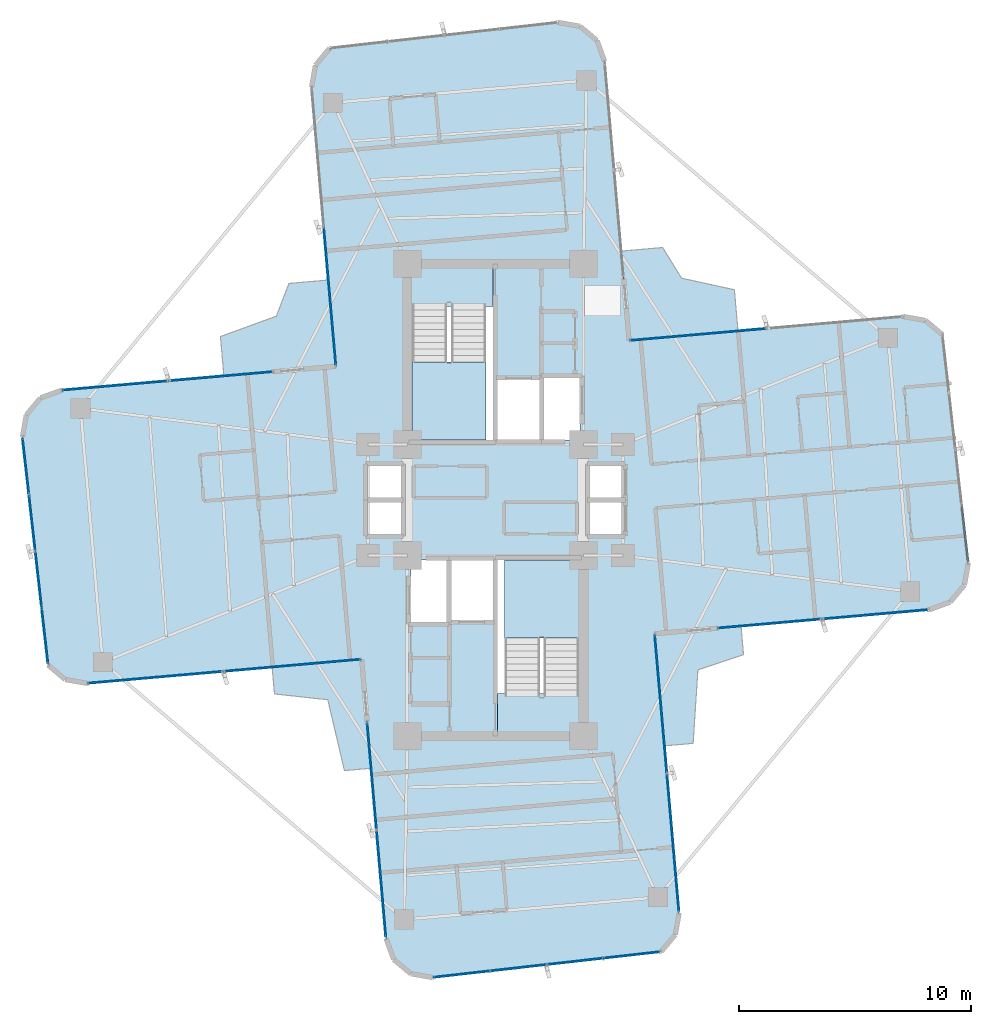
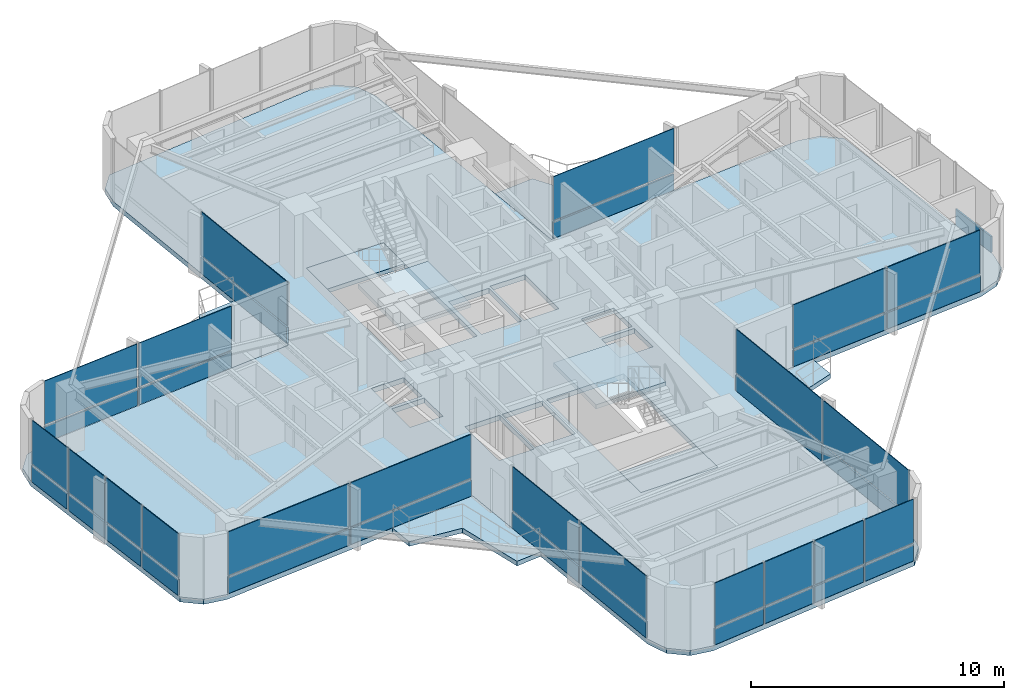
# One storey, part 19 of 24: 41 plates, 9 slabs, 12 elements without a shape of their own.
"""IFC4 building model written with IfcOpenShell, lengths in metres."""

from ifc_helpers import new_model, si_unit, direction, frame, origin, origin_2d, place, context, subcontext, project, spatial, polyline, rectangle, outline, extrude, source, transform, mapped, material, layer, layer_set, type_object, element, aggregate, save


model = new_model("IFC4")

# Units and contexts
model_context = context("Model", 3, precision=1e-05, world=origin(), true_north=direction((0.0, 1.0)))
body_context = subcontext(model_context, "Body", "Model", "MODEL_VIEW")
ifc_project = project(units=[si_unit("LENGTHUNIT", "METRE"), si_unit("AREAUNIT", "SQUARE_METRE"), si_unit("VOLUMEUNIT", "CUBIC_METRE"), si_unit("PLANEANGLEUNIT", "RADIAN"), si_unit("MASSUNIT", "GRAM", prefix="KILO")], contexts=[model_context])

# Site, building, storey
site_placement = place(None, origin())
site = spatial("IfcSite", under=ifc_project, at=site_placement, CompositionType="ELEMENT")
building_placement = place(site_placement, origin())
building = spatial("IfcBuilding", under=site, at=building_placement, Name="Sahyath Konkavel Grand Hotel", CompositionType="ELEMENT")
storey_placement = place(building_placement, frame((0.0, 0.0, 167.35009765625)))
storey = spatial("IfcBuildingStorey", under=building, at=storey_placement, Name="L46", CompositionType="ELEMENT", Elevation=167.35009765625)

# Slabs
ifc_material_1 = material(Name="Concrete C40/50", Category="concrete")
ifc_layer_1 = layer(ifc_material_1, 0.239990234375)
ifc_layer_set_1 = layer_set([ifc_layer_1], Name="Concrete C40/50")
slab_type_1 = type_object("IfcSlabType", Name="SLB-240", PredefinedType="FLOOR", material=ifc_layer_set_1)
slab_1_placement = place(storey_placement, frame((0.0, 0.0, -0.239990234375)))
element("IfcSlab", 1, at=slab_1_placement, inside=storey, type_object=slab_type_1, Name="L46 Structural Floor Slab", PredefinedType="FLOOR", context=body_context, shape_type="SweptSolid", body=[
    extrude(outline(polyline([(6.87939453125, -5.7724609375), (18.73388671875, -4.735107421875), (19.6337890625, -4.40771484375), (20.24951171875, -3.674072265625), (20.415771484375, -2.73095703125), (19.3037109375, 7.134521484375), (18.5703125, 7.75), (17.627197265625, 7.91650390625), (5.7724609375, 6.87939453125), (4.7177734375, 18.93310546875), (4.390380859375, 19.8330078125), (3.65673828125, 20.44873046875), (2.713623046875, 20.614990234375), (-7.152099609375, 19.5029296875), (-7.767578125, 18.769287109375), (-7.933837890625, 17.826416015625), (-6.87939453125, 5.7724609375), (-18.73388671875, 4.735107421875), (-19.6337890625, 4.40771484375), (-20.24951171875, 3.674072265625), (-20.415771484375, 2.73095703125), (-19.3037109375, -7.134521484375), (-18.5703125, -7.75), (-17.627197265625, -7.91650390625), (-5.7724609375, -6.87939453125), (-4.7177734375, -18.93310546875), (-4.390380859375, -19.8330078125), (-3.65673828125, -20.44873046875), (-2.713623046875, -20.614990234375), (7.152099609375, -19.5029296875), (7.767578125, -18.769287109375), (7.933837890625, -17.826416015625), (6.87939453125, -5.7724609375)]), holes=[polyline([(-3.6201171875, 2.580078125), (-0.10009765625, 2.580078125), (-0.10009765625, 10.02001953125), (-3.6201171875, 10.02001953125), (-3.6201171875, 2.580078125)]), polyline([(0.10009765625, -10.02001953125), (3.6201171875, -10.02001953125), (3.6201171875, -2.580078125), (0.10009765625, -2.580078125), (0.10009765625, -10.02001953125)]), polyline([(0.10009765625, 2.60009765625), (1.949951171875, 2.60009765625), (1.949951171875, 5.199951171875), (0.10009765625, 5.199951171875), (0.10009765625, 2.60009765625)]), polyline([(-1.949951171875, -5.199951171875), (-0.10009765625, -5.199951171875), (-0.10009765625, -2.60009765625), (-1.949951171875, -2.60009765625), (-1.949951171875, -5.199951171875)]), polyline([(2.050048828125, 2.60009765625), (3.64990234375, 2.60009765625), (3.64990234375, 5.300048828125), (2.050048828125, 5.300048828125), (2.050048828125, 2.60009765625)]), polyline([(-3.64990234375, -5.300048828125), (-2.050048828125, -5.300048828125), (-2.050048828125, -2.60009765625), (-3.64990234375, -2.60009765625), (-3.64990234375, -5.300048828125)]), polyline([(4.050048828125, 0.080078125), (5.550048828125, 0.080078125), (5.550048828125, 1.5400390625), (4.050048828125, 1.5400390625), (4.050048828125, 0.080078125)]), polyline([(4.050048828125, -1.5400390625), (5.550048828125, -1.5400390625), (5.550048828125, -0.080078125), (4.050048828125, -0.080078125), (4.050048828125, -1.5400390625)]), polyline([(-5.550048828125, 0.080078125), (-4.050048828125, 0.080078125), (-4.050048828125, 1.5400390625), (-5.550048828125, 1.5400390625), (-5.550048828125, 0.080078125)]), polyline([(-5.550048828125, -1.5400390625), (-4.050048828125, -1.5400390625), (-4.050048828125, -0.080078125), (-5.550048828125, -0.080078125), (-5.550048828125, -1.5400390625)])]), origin(), (0.0, 0.0, 1.0), 0.239990234375),
])
ifc_layer_2 = layer(ifc_material_1, 0.219970703125)
ifc_layer_set_2 = layer_set([ifc_layer_2], Name="Concrete C40/50")
slab_type_2 = type_object("IfcSlabType", Name="SLB-BALCONY-220", PredefinedType="FLOOR", material=ifc_layer_set_2)
slab_2_placement = place(storey_placement, frame((0.0, 0.0, -0.22021484375)))
element("IfcSlab", 2, at=slab_2_placement, inside=storey, type_object=slab_type_2, Name="L46 Winter-Garden Balcony NE", PredefinedType="FLOOR", context=body_context, shape_type="SweptSolid", body=[
    extrude(outline(polyline([(5.7724609375, 6.87939453125), (10.474365234375, 7.290771484375), (10.318115234375, 9.07666015625), (8.035888671875, 9.576904296875), (7.22021484375, 10.90087890625), (5.43408203125, 10.744384765625), (5.7724609375, 6.87939453125)])), origin(), (0.0, 0.0, 1.0), 0.22021484375),
])
slab_3_placement = place(storey_placement, frame((0.0, 0.0, -0.22021484375)))
element("IfcSlab", 3, at=slab_3_placement, inside=storey, type_object=slab_type_2, Name="L46 Winter-Garden Balcony NW", PredefinedType="FLOOR", context=body_context, shape_type="SweptSolid", body=[
    extrude(outline(polyline([(-6.87939453125, 5.7724609375), (-7.205078125, 9.498291015625), (-8.912353515625, 9.348876953125), (-9.45751953125, 7.935791015625), (-11.8701171875, 7.055908203125), (-11.720703125, 5.348876953125), (-6.87939453125, 5.7724609375)])), origin(), (0.0, 0.0, 1.0), 0.22021484375),
])
slab_4_placement = place(storey_placement, frame((0.0, 0.0, -0.22021484375)))
element("IfcSlab", 4, at=slab_4_placement, inside=storey, type_object=slab_type_2, Name="L46 Winter-Garden Balcony SW", PredefinedType="FLOOR", context=body_context, shape_type="SweptSolid", body=[
    extrude(outline(polyline([(-5.7724609375, -6.87939453125), (-9.6376953125, -7.21728515625), (-9.53662109375, -8.372314453125), (-7.236083984375, -8.62353515625), (-6.515869140625, -11.682373046875), (-5.361083984375, -11.581298828125), (-5.7724609375, -6.87939453125)])), origin(), (0.0, 0.0, 1.0), 0.22021484375),
])
slab_5_placement = place(storey_placement, frame((0.0, 0.0, -0.22021484375)))
element("IfcSlab", 5, at=slab_5_placement, inside=storey, type_object=slab_type_2, Name="L46 Winter-Garden Balcony SE", PredefinedType="FLOOR", context=body_context, shape_type="SweptSolid", body=[
    extrude(outline(polyline([(6.87939453125, -5.7724609375), (7.302978515625, -10.614013671875), (8.53662109375, -10.506103515625), (8.74267578125, -7.3359375), (10.712890625, -6.68017578125), (10.60498046875, -5.4462890625), (6.87939453125, -5.7724609375)])), origin(), (0.0, 0.0, 1.0), 0.22021484375),
])

# Stair, slab
stair_type = type_object("IfcStairType", Name="STR-ST16-335", PredefinedType="HALF_TURN_STAIR", material=ifc_material_1)
stair_1_placement = place(storey_placement, origin())
stair_1 = element("IfcStair", 6, at=stair_1_placement, inside=storey, type_object=stair_type, Name="L46 North Core Smokeproof Exit Stair ST-1", PredefinedType="HALF_TURN_STAIR")
ifc_layer_3 = layer(ifc_material_1, 0.199951171875)
ifc_layer_set_3 = layer_set([ifc_layer_3], Name="Concrete C40/50")
slab_type_3 = type_object("IfcSlabType", Name="SLB-STAIR-LND", PredefinedType="LANDING", material=ifc_layer_set_3)
slab_6_placement = place(storey_placement, frame((0.0, 0.0, 1.474853515625)))
slab_6 = element("IfcSlab", 7, at=slab_6_placement, type_object=slab_type_3, Name="ST-1 landing 1", PredefinedType="LANDING", context=body_context, shape_type="SweptSolid", body=[
    extrude(outline(polyline([(-3.60009765625, 5.9599609375), (-3.60009765625, 2.60009765625), (-0.39990234375, 2.60009765625), (-0.39990234375, 5.9599609375), (-3.60009765625, 5.9599609375)])), origin(), (0.0, 0.0, 1.0), 0.199951171875),
])
aggregate(stair_1, [slab_6])

stair_2_placement = place(storey_placement, origin())
stair_2 = element("IfcStair", 8, at=stair_2_placement, inside=storey, type_object=stair_type, Name="L46 South Core Smokeproof Exit Stair ST-2", PredefinedType="HALF_TURN_STAIR")
slab_7_placement = place(storey_placement, frame((0.0, 0.0, 1.474853515625)))
slab_7 = element("IfcSlab", 9, at=slab_7_placement, type_object=slab_type_3, Name="ST-2 landing 1", PredefinedType="LANDING", context=body_context, shape_type="SweptSolid", body=[
    extrude(outline(polyline([(3.60009765625, -5.9599609375), (3.60009765625, -2.60009765625), (0.39990234375, -2.60009765625), (0.39990234375, -5.9599609375), (3.60009765625, -5.9599609375)])), origin(), (0.0, 0.0, 1.0), 0.199951171875),
])
aggregate(stair_2, [slab_7])

# Slabs
slab_8_placement = place(storey_placement, frame((0.0, 0.0, -0.2001953125)))
element("IfcSlab", 10, at=slab_8_placement, inside=storey, type_object=slab_type_3, Name="L46 Stair ST-1 Floor Landing Slab", PredefinedType="LANDING", context=body_context, shape_type="SweptSolid", body=[
    extrude(outline(polyline([(-3.6201171875, 8.35009765625), (-0.10009765625, 8.35009765625), (-0.10009765625, 10.02001953125), (-3.6201171875, 10.02001953125), (-3.6201171875, 8.35009765625)])), origin(), (0.0, 0.0, 1.0), 0.2001953125),
])
slab_9_placement = place(storey_placement, frame((0.0, 0.0, -0.2001953125)))
element("IfcSlab", 11, at=slab_9_placement, inside=storey, type_object=slab_type_3, Name="L46 Stair ST-2 Floor Landing Slab", PredefinedType="LANDING", context=body_context, shape_type="SweptSolid", body=[
    extrude(outline(polyline([(0.10009765625, -10.02001953125), (3.6201171875, -10.02001953125), (3.6201171875, -8.35009765625), (0.10009765625, -8.35009765625), (0.10009765625, -10.02001953125)])), origin(), (0.0, 0.0, 1.0), 0.2001953125),
])

# Curtain wall, plates
ifc_material_2 = material(Name="Anodised Bronze Aluminium & Low-E Glazing", Category="aluminium")
curtain_wall_type = type_object("IfcCurtainWallType", Name="CW-ZONE3", PredefinedType="NOTDEFINED", material=ifc_material_2)
curtain_wall_1_placement = place(storey_placement, origin())
curtain_wall_1 = element("IfcCurtainWall", 12, at=curtain_wall_1_placement, inside=storey, type_object=curtain_wall_type, Name="L46 Unitised Curtain Wall F0", PredefinedType="NOTDEFINED")
ifc_material_3 = material(Name="Warm Buff Sandstone Cladding", Category="masonry")
ifc_layer_4 = layer(ifc_material_3, 0.074951171875)
ifc_layer_set_4 = layer_set([ifc_layer_4], Name="Warm Buff Sandstone Cladding")
plate_type_1 = type_object("IfcPlateType", Name="PNL-SPANDREL-STONE", PredefinedType="SHEET", material=ifc_layer_set_4)
shared_shape_1 = source(origin(), body_context, "Body", "SweptSolid", [
    extrude(rectangle(XDim=4.47998046875, YDim=0.074951171875, at=origin_2d()), origin(), (0.0, 0.0, 1.0), 0.77001953125),
])
plate_1_placement = place(storey_placement, frame((11.880126953125, -5.334716796875, 0.039794921875), z_axis=(0.0, 0.0, 1.0), x_axis=(0.996194698092, 0.087155742748, 0.0)))
plate_1 = element("IfcPlate", 13, at=plate_1_placement, type_object=plate_type_1, Name="L46 Sandstone Relief Spandrel Panel F0-0", PredefinedType="SHEET", context=body_context, shape_type="MappedRepresentation", body=[
    mapped(shared_shape_1, transform((0.0, 0.0, 0.0), scale=1.0)),
])
plate_2_placement = place(storey_placement, frame((16.4228515625, -4.9375, 0.039794921875), z_axis=(0.0, 0.0, 1.0), x_axis=(0.996194698092, 0.087155742748, 0.0)))
plate_2 = element("IfcPlate", 14, at=plate_2_placement, type_object=plate_type_1, Name="L46 Sandstone Relief Spandrel Panel F0-1", PredefinedType="SHEET", context=body_context, shape_type="MappedRepresentation", body=[
    mapped(shared_shape_1, transform((0.0, 0.0, 0.0), scale=1.0)),
])

curtain_wall_2_placement = place(storey_placement, origin())
curtain_wall_2 = element("IfcCurtainWall", 15, at=curtain_wall_2_placement, inside=storey, type_object=curtain_wall_type, Name="L46 Unitised Curtain Wall F16", PredefinedType="NOTDEFINED")
plate_3_placement = place(storey_placement, frame((-11.880126953125, 5.334716796875, 0.039794921875), z_axis=(0.0, 0.0, 1.0), x_axis=(-0.996194698092, -0.087155742748, 0.0)))
plate_3 = element("IfcPlate", 16, at=plate_3_placement, type_object=plate_type_1, Name="L46 Sandstone Relief Spandrel Panel F16-0", PredefinedType="SHEET", context=body_context, shape_type="MappedRepresentation", body=[
    mapped(shared_shape_1, transform((0.0, 0.0, 0.0), scale=1.0)),
])
plate_4_placement = place(storey_placement, frame((-16.4228515625, 4.9375, 0.039794921875), z_axis=(0.0, 0.0, 1.0), x_axis=(-0.996194698092, -0.087155742748, 0.0)))
plate_4 = element("IfcPlate", 17, at=plate_4_placement, type_object=plate_type_1, Name="L46 Sandstone Relief Spandrel Panel F16-1", PredefinedType="SHEET", context=body_context, shape_type="MappedRepresentation", body=[
    mapped(shared_shape_1, transform((0.0, 0.0, 0.0), scale=1.0)),
])

# Curtain wall, plate
curtain_wall_3_placement = place(storey_placement, origin())
curtain_wall_3 = element("IfcCurtainWall", 18, at=curtain_wall_3_placement, inside=storey, type_object=curtain_wall_type, Name="L46 Unitised Curtain Wall F4", PredefinedType="NOTDEFINED")
shared_shape_2 = source(origin(), body_context, "Body", "SweptSolid", [
    extrude(rectangle(XDim=2.382080078125, YDim=0.074951171875, at=origin_2d()), origin(), (0.0, 0.0, 1.0), 0.77001953125),
])
plate_5_placement = place(storey_placement, frame((20.2734375, -1.468017578125, 0.039794921875), z_axis=(0.0, 0.0, 1.0), x_axis=(-0.111989252568, 0.993709417943, 0.0)))
plate_5 = element("IfcPlate", 19, at=plate_5_placement, type_object=plate_type_1, Name="L46 Sandstone Relief Spandrel Panel F4-0", PredefinedType="SHEET", context=body_context, shape_type="MappedRepresentation", body=[
    mapped(shared_shape_2, transform((0.0, 0.0, 0.0), scale=1.0)),
])
aggregate(curtain_wall_3, [plate_5])

# Curtain wall, plates
curtain_wall_4_placement = place(storey_placement, origin())
curtain_wall_4 = element("IfcCurtainWall", 20, at=curtain_wall_4_placement, inside=storey, type_object=curtain_wall_type, Name="L46 Unitised Curtain Wall F20", PredefinedType="NOTDEFINED")
plate_6_placement = place(storey_placement, frame((-20.2734375, 1.468017578125, 0.039794921875), z_axis=(0.0, 0.0, 1.0), x_axis=(0.111989252568, -0.993709417943, 0.0)))
plate_6 = element("IfcPlate", 21, at=plate_6_placement, type_object=plate_type_1, Name="L46 Sandstone Relief Spandrel Panel F20-0", PredefinedType="SHEET", context=body_context, shape_type="MappedRepresentation", body=[
    mapped(shared_shape_2, transform((0.0, 0.0, 0.0), scale=1.0)),
])
plate_7_placement = place(storey_placement, frame((-19.99755859375, -0.978515625, 0.039794921875), z_axis=(0.0, 0.0, 1.0), x_axis=(0.111989252568, -0.993709417943, 0.0)))
plate_7 = element("IfcPlate", 22, at=plate_7_placement, type_object=plate_type_1, Name="L46 Sandstone Relief Spandrel Panel F20-1", PredefinedType="SHEET", context=body_context, shape_type="MappedRepresentation", body=[
    mapped(shared_shape_2, transform((0.0, 0.0, 0.0), scale=1.0)),
])
plate_8_placement = place(storey_placement, frame((-19.7216796875, -3.425048828125, 0.039794921875), z_axis=(0.0, 0.0, 1.0), x_axis=(0.111989252568, -0.993709417943, 0.0)))
plate_8 = element("IfcPlate", 23, at=plate_8_placement, type_object=plate_type_1, Name="L46 Sandstone Relief Spandrel Panel F20-2", PredefinedType="SHEET", context=body_context, shape_type="MappedRepresentation", body=[
    mapped(shared_shape_2, transform((0.0, 0.0, 0.0), scale=1.0)),
])
plate_9_placement = place(storey_placement, frame((-19.446044921875, -5.87158203125, 0.039794921875), z_axis=(0.0, 0.0, 1.0), x_axis=(0.111989252568, -0.993709417943, 0.0)))
plate_9 = element("IfcPlate", 24, at=plate_9_placement, type_object=plate_type_1, Name="L46 Sandstone Relief Spandrel Panel F20-3", PredefinedType="SHEET", context=body_context, shape_type="MappedRepresentation", body=[
    mapped(shared_shape_2, transform((0.0, 0.0, 0.0), scale=1.0)),
])

curtain_wall_5_placement = place(storey_placement, origin())
curtain_wall_5 = element("IfcCurtainWall", 25, at=curtain_wall_5_placement, inside=storey, type_object=curtain_wall_type, Name="L46 Unitised Curtain Wall F28", PredefinedType="NOTDEFINED")
plate_10_placement = place(storey_placement, frame((-1.45068359375, -20.47265625, 0.039794921875), z_axis=(0.0, 0.0, 1.0), x_axis=(0.993707463211, 0.112006596052, 0.0)))
plate_10 = element("IfcPlate", 26, at=plate_10_placement, type_object=plate_type_1, Name="L46 Sandstone Relief Spandrel Panel F28-0", PredefinedType="SHEET", context=body_context, shape_type="MappedRepresentation", body=[
    mapped(shared_shape_2, transform((0.0, 0.0, 0.0), scale=1.0)),
])
plate_11_placement = place(storey_placement, frame((0.995849609375, -20.197021484375, 0.039794921875), z_axis=(0.0, 0.0, 1.0), x_axis=(0.993707463211, 0.112006596052, 0.0)))
plate_11 = element("IfcPlate", 27, at=plate_11_placement, type_object=plate_type_1, Name="L46 Sandstone Relief Spandrel Panel F28-1", PredefinedType="SHEET", context=body_context, shape_type="MappedRepresentation", body=[
    mapped(shared_shape_2, transform((0.0, 0.0, 0.0), scale=1.0)),
])
plate_12_placement = place(storey_placement, frame((3.4423828125, -19.921142578125, 0.039794921875), z_axis=(0.0, 0.0, 1.0), x_axis=(0.993707463211, 0.112006596052, 0.0)))
plate_12 = element("IfcPlate", 28, at=plate_12_placement, type_object=plate_type_1, Name="L46 Sandstone Relief Spandrel Panel F28-2", PredefinedType="SHEET", context=body_context, shape_type="MappedRepresentation", body=[
    mapped(shared_shape_2, transform((0.0, 0.0, 0.0), scale=1.0)),
])
plate_13_placement = place(storey_placement, frame((5.888916015625, -19.6455078125, 0.039794921875), z_axis=(0.0, 0.0, 1.0), x_axis=(0.993707463211, 0.112006596052, 0.0)))
plate_13 = element("IfcPlate", 29, at=plate_13_placement, type_object=plate_type_1, Name="L46 Sandstone Relief Spandrel Panel F28-3", PredefinedType="SHEET", context=body_context, shape_type="MappedRepresentation", body=[
    mapped(shared_shape_2, transform((0.0, 0.0, 0.0), scale=1.0)),
])

# Curtain wall, plate
curtain_wall_6_placement = place(storey_placement, origin())
curtain_wall_6 = element("IfcCurtainWall", 30, at=curtain_wall_6_placement, inside=storey, type_object=curtain_wall_type, Name="L46 Unitised Curtain Wall F7", PredefinedType="NOTDEFINED")
shared_shape_3 = source(origin(), body_context, "Body", "SweptSolid", [
    extrude(rectangle(XDim=5.830078125, YDim=0.074951171875, at=origin_2d()), origin(), (0.0, 0.0, 1.0), 0.77001953125),
])
plate_14_placement = place(storey_placement, frame((8.756103515625, 7.140380859375, 0.039794921875), z_axis=(0.0, 0.0, 1.0), x_axis=(-0.996194698092, -0.087155742748, 0.0)))
plate_14 = element("IfcPlate", 31, at=plate_14_placement, type_object=plate_type_1, Name="L46 Sandstone Relief Spandrel Panel F7-1", PredefinedType="SHEET", context=body_context, shape_type="MappedRepresentation", body=[
    mapped(shared_shape_3, transform((0.0, 0.0, 0.0), scale=1.0)),
])

# Curtain wall, plates
curtain_wall_7_placement = place(storey_placement, origin())
curtain_wall_7 = element("IfcCurtainWall", 32, at=curtain_wall_7_placement, inside=storey, type_object=curtain_wall_type, Name="L46 Unitised Curtain Wall F23", PredefinedType="NOTDEFINED")
plate_15_placement = place(storey_placement, frame((-14.6435546875, -7.655517578125, 0.039794921875), z_axis=(0.0, 0.0, 1.0), x_axis=(0.996194698092, 0.087155742748, 0.0)))
plate_15 = element("IfcPlate", 33, at=plate_15_placement, type_object=plate_type_1, Name="L46 Sandstone Relief Spandrel Panel F23-0", PredefinedType="SHEET", context=body_context, shape_type="MappedRepresentation", body=[
    mapped(shared_shape_3, transform((0.0, 0.0, 0.0), scale=1.0)),
])
plate_16_placement = place(storey_placement, frame((-8.756103515625, -7.140380859375, 0.039794921875), z_axis=(0.0, 0.0, 1.0), x_axis=(0.996194698092, 0.087155742748, 0.0)))
plate_16 = element("IfcPlate", 34, at=plate_16_placement, type_object=plate_type_1, Name="L46 Sandstone Relief Spandrel Panel F23-1", PredefinedType="SHEET", context=body_context, shape_type="MappedRepresentation", body=[
    mapped(shared_shape_3, transform((0.0, 0.0, 0.0), scale=1.0)),
])

curtain_wall_8_placement = place(storey_placement, origin())
curtain_wall_8 = element("IfcCurtainWall", 35, at=curtain_wall_8_placement, inside=storey, type_object=curtain_wall_type, Name="L46 Unitised Curtain Wall F24", PredefinedType="NOTDEFINED")
shared_shape_4 = source(origin(), body_context, "Body", "SweptSolid", [
    extrude(rectangle(XDim=4.580078125, YDim=0.074951171875, at=origin_2d()), origin(), (0.0, 0.0, 1.0), 0.77001953125),
])
plate_17_placement = place(storey_placement, frame((-5.33056640625, -11.929931640625, 0.039794921875), z_axis=(0.0, 0.0, 1.0), x_axis=(0.087155742748, -0.996194698092, 0.0)))
plate_17 = element("IfcPlate", 36, at=plate_17_placement, type_object=plate_type_1, Name="L46 Sandstone Relief Spandrel Panel F24-0", PredefinedType="SHEET", context=body_context, shape_type="MappedRepresentation", body=[
    mapped(shared_shape_4, transform((0.0, 0.0, 0.0), scale=1.0)),
])
plate_18_placement = place(storey_placement, frame((-4.92431640625, -16.572265625, 0.039794921875), z_axis=(0.0, 0.0, 1.0), x_axis=(0.087155742748, -0.996194698092, 0.0)))
plate_18 = element("IfcPlate", 37, at=plate_18_placement, type_object=plate_type_1, Name="L46 Sandstone Relief Spandrel Panel F24-1", PredefinedType="SHEET", context=body_context, shape_type="MappedRepresentation", body=[
    mapped(shared_shape_4, transform((0.0, 0.0, 0.0), scale=1.0)),
])

# Curtain wall, plate
curtain_wall_9_placement = place(storey_placement, origin())
curtain_wall_9 = element("IfcCurtainWall", 38, at=curtain_wall_9_placement, inside=storey, type_object=curtain_wall_type, Name="L46 Unitised Curtain Wall F15", PredefinedType="NOTDEFINED")
shared_shape_5 = source(origin(), body_context, "Body", "SweptSolid", [
    extrude(rectangle(XDim=5.929931640625, YDim=0.074951171875, at=origin_2d()), origin(), (0.0, 0.0, 1.0), 0.77001953125),
])
plate_19_placement = place(storey_placement, frame((-7.144775390625, 8.805908203125, 0.039794921875), z_axis=(0.0, 0.0, 1.0), x_axis=(0.087155742748, -0.996194698092, 0.0)))
plate_19 = element("IfcPlate", 39, at=plate_19_placement, type_object=plate_type_1, Name="L46 Sandstone Relief Spandrel Panel F15-1", PredefinedType="SHEET", context=body_context, shape_type="MappedRepresentation", body=[
    mapped(shared_shape_5, transform((0.0, 0.0, 0.0), scale=1.0)),
])

# Curtain wall, plates
curtain_wall_10_placement = place(storey_placement, origin())
curtain_wall_10 = element("IfcCurtainWall", 40, at=curtain_wall_10_placement, inside=storey, type_object=curtain_wall_type, Name="L46 Unitised Curtain Wall F31", PredefinedType="NOTDEFINED")
plate_20_placement = place(storey_placement, frame((7.66845703125, -14.79296875, 0.039794921875), z_axis=(0.0, 0.0, 1.0), x_axis=(-0.087155742748, 0.996194698092, 0.0)))
plate_20 = element("IfcPlate", 41, at=plate_20_placement, type_object=plate_type_1, Name="L46 Sandstone Relief Spandrel Panel F31-0", PredefinedType="SHEET", context=body_context, shape_type="MappedRepresentation", body=[
    mapped(shared_shape_5, transform((0.0, 0.0, 0.0), scale=1.0)),
])
plate_21_placement = place(storey_placement, frame((7.144775390625, -8.805908203125, 0.039794921875), z_axis=(0.0, 0.0, 1.0), x_axis=(-0.087155742748, 0.996194698092, 0.0)))
plate_21 = element("IfcPlate", 42, at=plate_21_placement, type_object=plate_type_1, Name="L46 Sandstone Relief Spandrel Panel F31-1", PredefinedType="SHEET", context=body_context, shape_type="MappedRepresentation", body=[
    mapped(shared_shape_5, transform((0.0, 0.0, 0.0), scale=1.0)),
])

# Plate
ifc_material_4 = material(Name="Low-E Solar Control Double Glazing", Category="glass")
ifc_layer_5 = layer(ifc_material_4, 0.035888671875)
ifc_layer_set_5 = layer_set([ifc_layer_5], Name="Low-E Solar Control Double Glazing")
plate_type_2 = type_object("IfcPlateType", Name="PNL-VISION-LOWE", PredefinedType="CURTAIN_PANEL", material=ifc_layer_set_5)
shared_shape_6 = source(origin(), body_context, "Body", "SweptSolid", [
    extrude(rectangle(XDim=4.47998046875, YDim=0.035888671875, at=origin_2d()), origin(), (0.0, 0.0, 1.0), 2.1201171875),
])
plate_22_placement = place(storey_placement, frame((11.880126953125, -5.334716796875, 0.889892578125), z_axis=(0.0, 0.0, 1.0), x_axis=(0.996194698092, 0.087155742748, 0.0)))
plate_22 = element("IfcPlate", 43, at=plate_22_placement, type_object=plate_type_2, Name="L46 Low-E Vision Glazing Panel F0-0", PredefinedType="CURTAIN_PANEL", context=body_context, shape_type="MappedRepresentation", body=[
    mapped(shared_shape_6, transform((0.0, 0.0, 0.0), scale=1.0)),
])

plate_23_placement = place(storey_placement, frame((16.4228515625, -4.9375, 0.889892578125), z_axis=(0.0, 0.0, 1.0), x_axis=(0.996194698092, 0.087155742748, 0.0)))
plate_23 = element("IfcPlate", 44, at=plate_23_placement, type_object=plate_type_2, Name="L46 Low-E Vision Glazing Panel F0-1", PredefinedType="CURTAIN_PANEL", context=body_context, shape_type="MappedRepresentation", body=[
    mapped(shared_shape_6, transform((0.0, 0.0, 0.0), scale=1.0)),
])

aggregate(curtain_wall_1, [plate_1, plate_22, plate_2, plate_23])

plate_24_placement = place(storey_placement, frame((-11.880126953125, 5.334716796875, 0.889892578125), z_axis=(0.0, 0.0, 1.0), x_axis=(-0.996194698092, -0.087155742748, 0.0)))
plate_24 = element("IfcPlate", 45, at=plate_24_placement, type_object=plate_type_2, Name="L46 Low-E Vision Glazing Panel F16-0", PredefinedType="CURTAIN_PANEL", context=body_context, shape_type="MappedRepresentation", body=[
    mapped(shared_shape_6, transform((0.0, 0.0, 0.0), scale=1.0)),
])

plate_25_placement = place(storey_placement, frame((-16.4228515625, 4.9375, 0.889892578125), z_axis=(0.0, 0.0, 1.0), x_axis=(-0.996194698092, -0.087155742748, 0.0)))
plate_25 = element("IfcPlate", 46, at=plate_25_placement, type_object=plate_type_2, Name="L46 Low-E Vision Glazing Panel F16-1", PredefinedType="CURTAIN_PANEL", context=body_context, shape_type="MappedRepresentation", body=[
    mapped(shared_shape_6, transform((0.0, 0.0, 0.0), scale=1.0)),
])

aggregate(curtain_wall_2, [plate_3, plate_24, plate_4, plate_25])

shared_shape_7 = source(origin(), body_context, "Body", "SweptSolid", [
    extrude(rectangle(XDim=2.382080078125, YDim=0.035888671875, at=origin_2d()), origin(), (0.0, 0.0, 1.0), 2.1201171875),
])
plate_26_placement = place(storey_placement, frame((-20.2734375, 1.468017578125, 0.889892578125), z_axis=(0.0, 0.0, 1.0), x_axis=(0.111989252568, -0.993709417943, 0.0)))
plate_26 = element("IfcPlate", 47, at=plate_26_placement, type_object=plate_type_2, Name="L46 Low-E Vision Glazing Panel F20-0", PredefinedType="CURTAIN_PANEL", context=body_context, shape_type="MappedRepresentation", body=[
    mapped(shared_shape_7, transform((0.0, 0.0, 0.0), scale=1.0)),
])

plate_27_placement = place(storey_placement, frame((-19.99755859375, -0.978515625, 0.889892578125), z_axis=(0.0, 0.0, 1.0), x_axis=(0.111989252568, -0.993709417943, 0.0)))
plate_27 = element("IfcPlate", 48, at=plate_27_placement, type_object=plate_type_2, Name="L46 Low-E Vision Glazing Panel F20-1", PredefinedType="CURTAIN_PANEL", context=body_context, shape_type="MappedRepresentation", body=[
    mapped(shared_shape_7, transform((0.0, 0.0, 0.0), scale=1.0)),
])

plate_28_placement = place(storey_placement, frame((-19.7216796875, -3.425048828125, 0.889892578125), z_axis=(0.0, 0.0, 1.0), x_axis=(0.111989252568, -0.993709417943, 0.0)))
plate_28 = element("IfcPlate", 49, at=plate_28_placement, type_object=plate_type_2, Name="L46 Low-E Vision Glazing Panel F20-2", PredefinedType="CURTAIN_PANEL", context=body_context, shape_type="MappedRepresentation", body=[
    mapped(shared_shape_7, transform((0.0, 0.0, 0.0), scale=1.0)),
])

plate_29_placement = place(storey_placement, frame((-19.446044921875, -5.87158203125, 0.889892578125), z_axis=(0.0, 0.0, 1.0), x_axis=(0.111989252568, -0.993709417943, 0.0)))
plate_29 = element("IfcPlate", 50, at=plate_29_placement, type_object=plate_type_2, Name="L46 Low-E Vision Glazing Panel F20-3", PredefinedType="CURTAIN_PANEL", context=body_context, shape_type="MappedRepresentation", body=[
    mapped(shared_shape_7, transform((0.0, 0.0, 0.0), scale=1.0)),
])

aggregate(curtain_wall_4, [plate_6, plate_26, plate_7, plate_27, plate_8, plate_28, plate_9, plate_29])

plate_30_placement = place(storey_placement, frame((-1.45068359375, -20.47265625, 0.889892578125), z_axis=(0.0, 0.0, 1.0), x_axis=(0.993707463211, 0.112006596052, 0.0)))
plate_30 = element("IfcPlate", 51, at=plate_30_placement, type_object=plate_type_2, Name="L46 Low-E Vision Glazing Panel F28-0", PredefinedType="CURTAIN_PANEL", context=body_context, shape_type="MappedRepresentation", body=[
    mapped(shared_shape_7, transform((0.0, 0.0, 0.0), scale=1.0)),
])

plate_31_placement = place(storey_placement, frame((0.995849609375, -20.197021484375, 0.889892578125), z_axis=(0.0, 0.0, 1.0), x_axis=(0.993707463211, 0.112006596052, 0.0)))
plate_31 = element("IfcPlate", 52, at=plate_31_placement, type_object=plate_type_2, Name="L46 Low-E Vision Glazing Panel F28-1", PredefinedType="CURTAIN_PANEL", context=body_context, shape_type="MappedRepresentation", body=[
    mapped(shared_shape_7, transform((0.0, 0.0, 0.0), scale=1.0)),
])

plate_32_placement = place(storey_placement, frame((3.4423828125, -19.921142578125, 0.889892578125), z_axis=(0.0, 0.0, 1.0), x_axis=(0.993707463211, 0.112006596052, 0.0)))
plate_32 = element("IfcPlate", 53, at=plate_32_placement, type_object=plate_type_2, Name="L46 Low-E Vision Glazing Panel F28-2", PredefinedType="CURTAIN_PANEL", context=body_context, shape_type="MappedRepresentation", body=[
    mapped(shared_shape_7, transform((0.0, 0.0, 0.0), scale=1.0)),
])

plate_33_placement = place(storey_placement, frame((5.888916015625, -19.6455078125, 0.889892578125), z_axis=(0.0, 0.0, 1.0), x_axis=(0.993707463211, 0.112006596052, 0.0)))
plate_33 = element("IfcPlate", 54, at=plate_33_placement, type_object=plate_type_2, Name="L46 Low-E Vision Glazing Panel F28-3", PredefinedType="CURTAIN_PANEL", context=body_context, shape_type="MappedRepresentation", body=[
    mapped(shared_shape_7, transform((0.0, 0.0, 0.0), scale=1.0)),
])

aggregate(curtain_wall_5, [plate_10, plate_30, plate_11, plate_31, plate_12, plate_32, plate_13, plate_33])

shared_shape_8 = source(origin(), body_context, "Body", "SweptSolid", [
    extrude(rectangle(XDim=5.830078125, YDim=0.035888671875, at=origin_2d()), origin(), (0.0, 0.0, 1.0), 2.1201171875),
])
plate_34_placement = place(storey_placement, frame((8.756103515625, 7.140380859375, 0.889892578125), z_axis=(0.0, 0.0, 1.0), x_axis=(-0.996194698092, -0.087155742748, 0.0)))
plate_34 = element("IfcPlate", 55, at=plate_34_placement, type_object=plate_type_2, Name="L46 Low-E Vision Glazing Panel F7-1", PredefinedType="CURTAIN_PANEL", context=body_context, shape_type="MappedRepresentation", body=[
    mapped(shared_shape_8, transform((0.0, 0.0, 0.0), scale=1.0)),
])

aggregate(curtain_wall_6, [plate_14, plate_34])

plate_35_placement = place(storey_placement, frame((-14.6435546875, -7.655517578125, 0.889892578125), z_axis=(0.0, 0.0, 1.0), x_axis=(0.996194698092, 0.087155742748, 0.0)))
plate_35 = element("IfcPlate", 56, at=plate_35_placement, type_object=plate_type_2, Name="L46 Low-E Vision Glazing Panel F23-0", PredefinedType="CURTAIN_PANEL", context=body_context, shape_type="MappedRepresentation", body=[
    mapped(shared_shape_8, transform((0.0, 0.0, 0.0), scale=1.0)),
])

plate_36_placement = place(storey_placement, frame((-8.756103515625, -7.140380859375, 0.889892578125), z_axis=(0.0, 0.0, 1.0), x_axis=(0.996194698092, 0.087155742748, 0.0)))
plate_36 = element("IfcPlate", 57, at=plate_36_placement, type_object=plate_type_2, Name="L46 Low-E Vision Glazing Panel F23-1", PredefinedType="CURTAIN_PANEL", context=body_context, shape_type="MappedRepresentation", body=[
    mapped(shared_shape_8, transform((0.0, 0.0, 0.0), scale=1.0)),
])

aggregate(curtain_wall_7, [plate_15, plate_35, plate_16, plate_36])

shared_shape_9 = source(origin(), body_context, "Body", "SweptSolid", [
    extrude(rectangle(XDim=4.580078125, YDim=0.035888671875, at=origin_2d()), origin(), (0.0, 0.0, 1.0), 2.1201171875),
])
plate_37_placement = place(storey_placement, frame((-5.33056640625, -11.929931640625, 0.889892578125), z_axis=(0.0, 0.0, 1.0), x_axis=(0.087155742748, -0.996194698092, 0.0)))
plate_37 = element("IfcPlate", 58, at=plate_37_placement, type_object=plate_type_2, Name="L46 Low-E Vision Glazing Panel F24-0", PredefinedType="CURTAIN_PANEL", context=body_context, shape_type="MappedRepresentation", body=[
    mapped(shared_shape_9, transform((0.0, 0.0, 0.0), scale=1.0)),
])

plate_38_placement = place(storey_placement, frame((-4.92431640625, -16.572265625, 0.889892578125), z_axis=(0.0, 0.0, 1.0), x_axis=(0.087155742748, -0.996194698092, 0.0)))
plate_38 = element("IfcPlate", 59, at=plate_38_placement, type_object=plate_type_2, Name="L46 Low-E Vision Glazing Panel F24-1", PredefinedType="CURTAIN_PANEL", context=body_context, shape_type="MappedRepresentation", body=[
    mapped(shared_shape_9, transform((0.0, 0.0, 0.0), scale=1.0)),
])

aggregate(curtain_wall_8, [plate_17, plate_37, plate_18, plate_38])

shared_shape_10 = source(origin(), body_context, "Body", "SweptSolid", [
    extrude(rectangle(XDim=5.929931640625, YDim=0.035888671875, at=origin_2d()), origin(), (0.0, 0.0, 1.0), 2.1201171875),
])
plate_39_placement = place(storey_placement, frame((-7.144775390625, 8.805908203125, 0.889892578125), z_axis=(0.0, 0.0, 1.0), x_axis=(0.087155742748, -0.996194698092, 0.0)))
plate_39 = element("IfcPlate", 60, at=plate_39_placement, type_object=plate_type_2, Name="L46 Low-E Vision Glazing Panel F15-1", PredefinedType="CURTAIN_PANEL", context=body_context, shape_type="MappedRepresentation", body=[
    mapped(shared_shape_10, transform((0.0, 0.0, 0.0), scale=1.0)),
])

aggregate(curtain_wall_9, [plate_19, plate_39])

plate_40_placement = place(storey_placement, frame((7.66845703125, -14.79296875, 0.889892578125), z_axis=(0.0, 0.0, 1.0), x_axis=(-0.087155742748, 0.996194698092, 0.0)))
plate_40 = element("IfcPlate", 61, at=plate_40_placement, type_object=plate_type_2, Name="L46 Low-E Vision Glazing Panel F31-0", PredefinedType="CURTAIN_PANEL", context=body_context, shape_type="MappedRepresentation", body=[
    mapped(shared_shape_10, transform((0.0, 0.0, 0.0), scale=1.0)),
])

plate_41_placement = place(storey_placement, frame((7.144775390625, -8.805908203125, 0.889892578125), z_axis=(0.0, 0.0, 1.0), x_axis=(-0.087155742748, 0.996194698092, 0.0)))
plate_41 = element("IfcPlate", 62, at=plate_41_placement, type_object=plate_type_2, Name="L46 Low-E Vision Glazing Panel F31-1", PredefinedType="CURTAIN_PANEL", context=body_context, shape_type="MappedRepresentation", body=[
    mapped(shared_shape_10, transform((0.0, 0.0, 0.0), scale=1.0)),
])

aggregate(curtain_wall_10, [plate_20, plate_40, plate_21, plate_41])

save(model, "model.ifc")
